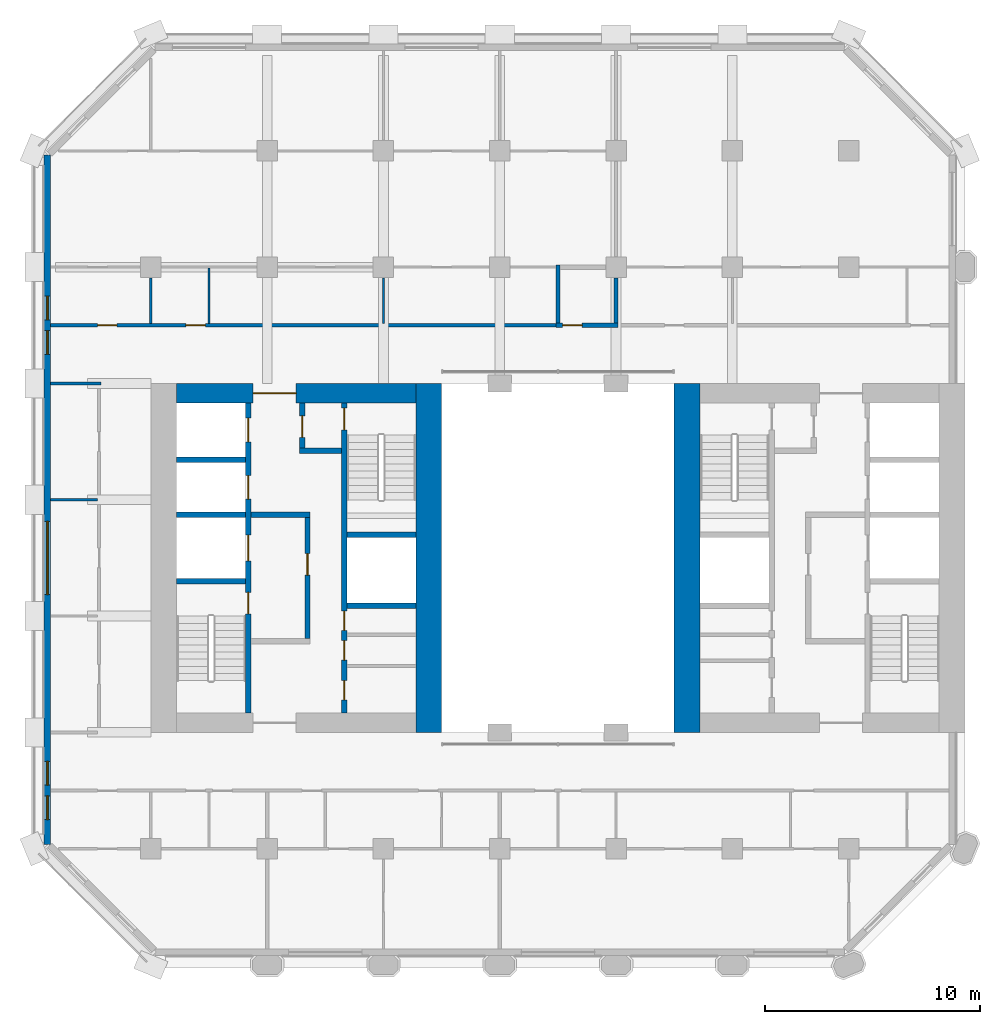
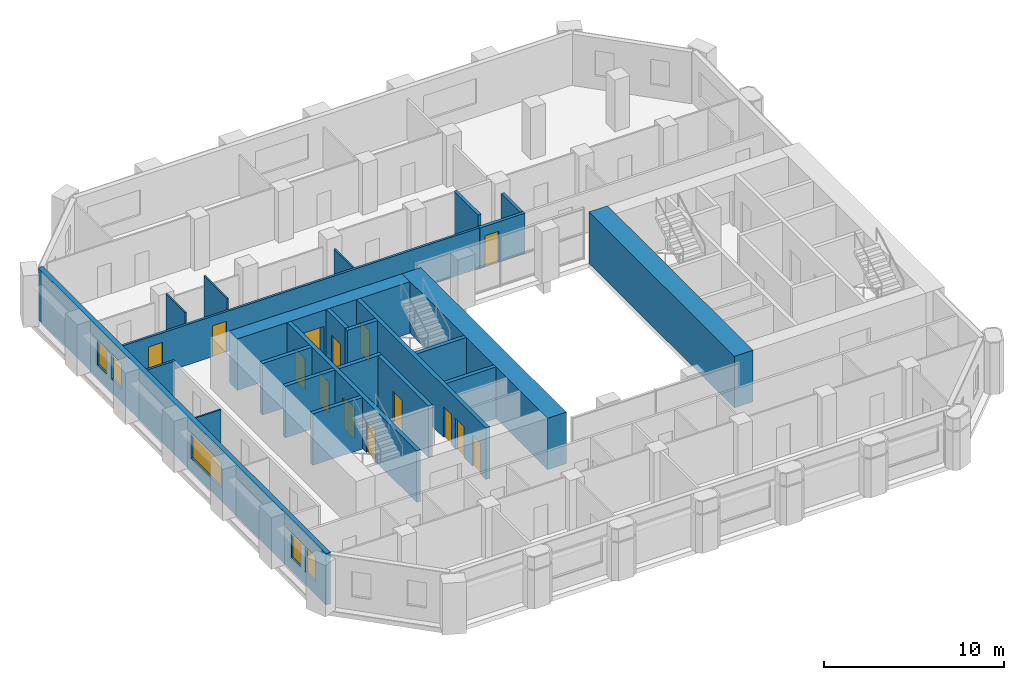
# One storey, part 7 of 13: 24 walls, 14 doors, 5 windows, 19 openings.
"""IFC4 building model written with IfcOpenShell, lengths in metres."""

from ifc_helpers import new_model, si_unit, direction, frame, frame_2d, origin, place, context, subcontext, project, spatial, rectangle, extrude, material, layer, layer_set, type_object, element, fill, save


model = new_model("IFC4")

# Units and contexts
model_context = context("Model", 3, precision=1e-05, world=origin(), true_north=direction((0.0, 1.0)))
body_context = subcontext(model_context, "Body", "Model", "MODEL_VIEW")
ifc_project = project(units=[si_unit("LENGTHUNIT", "METRE"), si_unit("AREAUNIT", "SQUARE_METRE"), si_unit("VOLUMEUNIT", "CUBIC_METRE"), si_unit("PLANEANGLEUNIT", "RADIAN"), si_unit("MASSUNIT", "GRAM", prefix="KILO")], contexts=[model_context])

# Site, building, storey
site_placement = place(None, origin())
site = spatial("IfcSite", under=ifc_project, at=site_placement, CompositionType="ELEMENT")
building_placement = place(site_placement, origin())
building = spatial("IfcBuilding", under=site, at=building_placement, Name="Tabaq Tower and Sports Hall", CompositionType="ELEMENT")
storey_placement = place(building_placement, frame((0.0, 0.0, 114.39990234375)))
storey = spatial("IfcBuildingStorey", under=building, at=storey_placement, Name="L27", CompositionType="ELEMENT", Elevation=114.39990234375)

# Walls
ifc_material_1 = material(Name="Concrete C60/75", Category="concrete")
ifc_layer_1 = layer(ifc_material_1, 1.199951171875)
ifc_layer_set_1 = layer_set([ifc_layer_1], Name="Core wall 1200 Concrete C60/75")
wall_type_1 = type_object("IfcWallType", Name="Core wall 1200 Concrete C60/75", PredefinedType="SOLIDWALL", material=ifc_layer_set_1)
for number, where, z_axis, x_axis, name in (
    (1, (18.300048828125, 32.39990234375, 0.0), (0.0, 0.0, 1.0), (0.0, -1.0, 0.0), "Core wall W L27"),
    (2, (30.300048828125, 16.199951171875, 0.0), (0.0, 0.0, 1.0), (0.0, 1.0, 0.0), "Core wall E L27"),
):
    element("IfcWall", number, at=place(storey_placement, frame(where, z_axis=z_axis, x_axis=x_axis)), inside=storey, type_object=wall_type_1, Name=name, PredefinedType="SOLIDWALL", context=body_context, shape_type="SweptSolid", body=[
        extrude(rectangle(XDim=16.199951171875, YDim=1.199951171875, at=frame_2d((8.10009765625, 0.0))), origin(), (0.0, 0.0, 1.0), 3.5),
    ])

# Wall, opening, door
ifc_material_2 = material(Name="Concrete C60/75", Category="concrete")
ifc_layer_2 = layer(ifc_material_2, 0.89990234375)
ifc_layer_set_2 = layer_set([ifc_layer_2], Name="Core wall 900 Concrete C60/75")
wall_type_2 = type_object("IfcWallType", Name="Core wall 900 Concrete C60/75", PredefinedType="SOLIDWALL", material=ifc_layer_set_2)
wall_1_placement = place(storey_placement, frame((6.60009765625, 31.949951171875, 0.0), z_axis=(0.0, 0.0, 1.0), x_axis=(1.0, 0.0, 0.0)))
wall_1 = element("IfcWall", 3, at=wall_1_placement, inside=storey, type_object=wall_type_2, Name="Core wall W L27", PredefinedType="SOLIDWALL", context=body_context, shape_type="SweptSolid", body=[
    extrude(rectangle(XDim=11.099853515625, YDim=0.89990234375, at=frame_2d((5.5498046875, 0.0))), origin(), (0.0, 0.0, 1.0), 3.5),
])
opening_1_placement = place(wall_1_placement, frame((3.550048828125, 0.0, 0.0)))
opening_1 = element("IfcOpeningElement", 4, at=opening_1_placement, cuts=wall_1, Name="Opening PD-WL27-02", PredefinedType="OPENING", context=body_context, shape_type="SweptSolid", body=[
    extrude(rectangle(XDim=2.0, YDim=2.39990234375, at=frame_2d((1.0, 1.199951171875))), frame((0.0, 0.449951171875, 0.0), z_axis=(0.0, -1.0, 0.0), x_axis=(1.0, 0.0, 0.0)), (0.0, 0.0, 1.0), 0.89990234375),
])
ifc_material_3 = material(Name="Steel fire door", Category="steel")
door_type_1 = type_object("IfcDoorType", Name="Core entrance door 2000", OperationType="DOUBLE_DOOR_SINGLE_SWING", PredefinedType="DOOR", material=ifc_material_3)
door_1_placement = place(opening_1_placement, origin())
door_1 = element("IfcDoor", 5, at=door_1_placement, inside=storey, type_object=door_type_1, Name="Core entrance north W L27", OperationType="DOUBLE_DOOR_SINGLE_SWING", OverallHeight=2.39990234375, OverallWidth=2.0, PredefinedType="DOOR", context=body_context, shape_type="SweptSolid", body=[
    extrude(rectangle(XDim=2.0, YDim=2.39990234375, at=frame_2d((1.0, 1.199951171875))), frame((0.0, 0.02490234375, 0.0), z_axis=(0.0, -1.0, 0.0), x_axis=(1.0, 0.0, 0.0)), (0.0, 0.0, 1.0), 0.050048828125),
])
fill(opening_1, door_1)

ifc_material_4 = material(Name="Blockwork", Category="masonry")
ifc_layer_3 = layer(ifc_material_4, 0.199951171875)
ifc_layer_set_3 = layer_set([ifc_layer_3], Name="Fire compartment wall 200 Blockwork")
wall_type_3 = type_object("IfcWallType", Name="Fire compartment wall 200 Blockwork", PredefinedType="PARTITIONING", material=ifc_layer_set_3)
wall_2_placement = place(storey_placement, frame((27.10009765625, 35.10009765625, 0.0), z_axis=(0.0, 0.0, 1.0), x_axis=(-1.0, 0.0, 0.0)))
wall_2 = element("IfcWall", 6, at=wall_2_placement, inside=storey, type_object=wall_type_3, Name="Compartment wall L27", PredefinedType="PARTITIONING", context=body_context, shape_type="SweptSolid", body=[
    extrude(rectangle(XDim=2.900146484375, YDim=0.199951171875, at=frame_2d((1.4501953125, 0.0))), origin(), (0.0, 0.0, 1.0), 2.75),
])
opening_2_placement = place(wall_2_placement, frame((1.679931640625, 0.0, 0.0)))
opening_2 = element("IfcOpeningElement", 7, at=opening_2_placement, cuts=wall_2, Name="Opening L27-002", PredefinedType="OPENING", context=body_context, shape_type="SweptSolid", body=[
    extrude(rectangle(XDim=0.89990234375, YDim=2.10009765625, at=frame_2d((0.449951171875, 1.050048828125))), frame((0.0, 0.10009765625, 0.0), z_axis=(0.0, -1.0, 0.0), x_axis=(1.0, 0.0, 0.0)), (0.0, 0.0, 1.0), 0.199951171875),
])
ifc_material_5 = material(Name="Steel fire door", Category="steel")
door_type_2 = type_object("IfcDoorType", Name="Plant room door 900 left hand", OperationType="SINGLE_SWING_LEFT", PredefinedType="DOOR", material=ifc_material_5)
door_2_placement = place(opening_2_placement, origin())
door_2 = element("IfcDoor", 8, at=door_2_placement, inside=storey, type_object=door_type_2, Name="Plant room door L27-002", OperationType="SINGLE_SWING_LEFT", OverallHeight=2.10009765625, OverallWidth=0.89990234375, PredefinedType="DOOR", context=body_context, shape_type="SweptSolid", body=[
    extrude(rectangle(XDim=0.89990234375, YDim=2.10009765625, at=frame_2d((0.449951171875, 1.050048828125))), frame((0.0, 0.02490234375, 0.0), z_axis=(0.0, -1.0, 0.0), x_axis=(1.0, 0.0, 0.0)), (0.0, 0.0, 1.0), 0.050048828125),
])
fill(opening_2, door_2)

# Walls
wall_3_placement = place(storey_placement, frame((24.300048828125, 35.199951171875, 0.0), z_axis=(0.0, 0.0, 1.0), x_axis=(0.0, 1.0, 0.0)))
element("IfcWall", 9, at=wall_3_placement, inside=storey, type_object=wall_type_3, Name="Compartment wall L27", PredefinedType="PARTITIONING", context=body_context, shape_type="SweptSolid", body=[
    extrude(rectangle(XDim=2.699951171875, YDim=0.199951171875, at=frame_2d((1.35009765625, 0.0))), origin(), (0.0, 0.0, 1.0), 3.5),
])
wall_4_placement = place(storey_placement, frame((27.0, 35.199951171875, 0.0), z_axis=(0.0, 0.0, 1.0), x_axis=(0.0, 1.0, 0.0)))
element("IfcWall", 10, at=wall_4_placement, inside=storey, type_object=wall_type_3, Name="Compartment wall L27", PredefinedType="PARTITIONING", context=body_context, shape_type="SweptSolid", body=[
    extrude(rectangle(XDim=2.10498046875, YDim=0.199951171875, at=frame_2d((1.052490234375, 0.0))), origin(), (0.0, 0.0, 1.0), 2.75),
])
ifc_material_6 = material(Name="Gypsum board on steel studs", Category="steel")
ifc_layer_4 = layer(ifc_material_6, 0.10009765625)
ifc_layer_set_4 = layer_set([ifc_layer_4], Name="Partition 100 Gypsum board")
wall_type_4 = type_object("IfcWallType", Name="Partition 100 Gypsum board", PredefinedType="PARTITIONING", material=ifc_layer_set_4)
wall_5_placement = place(storey_placement, frame((5.39990234375, 35.175048828125, 0.0), z_axis=(0.0, 0.0, 1.0), x_axis=(0.0, 1.0, 0.0)))
element("IfcWall", 11, at=wall_5_placement, inside=storey, type_object=wall_type_4, Name="Partition wall L27", PredefinedType="PARTITIONING", context=body_context, shape_type="SweptSolid", body=[
    extrude(rectangle(XDim=2.1298828125, YDim=0.10009765625, at=frame_2d((1.06494140625, 0.0))), origin(), (0.0, 0.0, 1.0), 3.5),
])
wall_6_placement = place(storey_placement, frame((8.10009765625, 35.175048828125, 0.0), z_axis=(0.0, 0.0, 1.0), x_axis=(0.0, 1.0, 0.0)))
element("IfcWall", 12, at=wall_6_placement, inside=storey, type_object=wall_type_4, Name="Partition wall L27", PredefinedType="PARTITIONING", context=body_context, shape_type="SweptSolid", body=[
    extrude(rectangle(XDim=2.574951171875, YDim=0.10009765625, at=frame_2d((1.28759765625, 0.0))), origin(), (0.0, 0.0, 1.0), 3.5),
])
wall_7_placement = place(storey_placement, frame((16.199951171875, 35.175048828125, 0.0), z_axis=(0.0, 0.0, 1.0), x_axis=(0.0, 1.0, 0.0)))
element("IfcWall", 13, at=wall_7_placement, inside=storey, type_object=wall_type_4, Name="Partition wall L27", PredefinedType="PARTITIONING", context=body_context, shape_type="SweptSolid", body=[
    extrude(rectangle(XDim=2.1298828125, YDim=0.10009765625, at=frame_2d((1.06494140625, 0.0))), origin(), (0.0, 0.0, 1.0), 2.75),
])
wall_8_placement = place(storey_placement, frame((2.925048828125, 27.0, 0.0), z_axis=(0.0, 0.0, 1.0), x_axis=(-1.0, 0.0, 0.0)))
element("IfcWall", 14, at=wall_8_placement, inside=storey, type_object=wall_type_4, Name="Partition wall L27", PredefinedType="PARTITIONING", context=body_context, shape_type="SweptSolid", body=[
    extrude(rectangle(XDim=2.174072265625, YDim=0.10009765625, at=frame_2d((1.0869140625, 0.0))), origin(), (0.0, 0.0, 1.0), 2.75),
])

# Wall, openings, doors
ifc_material_7 = material(Name="Blockwork", Category="masonry")
ifc_layer_5 = layer(ifc_material_7, 0.14990234375)
ifc_layer_set_5 = layer_set([ifc_layer_5], Name="Separating wall 150 Blockwork")
wall_type_5 = type_object("IfcWallType", Name="Separating wall 150 Blockwork", PredefinedType="PARTITIONING", material=ifc_layer_set_5)
wall_9_placement = place(storey_placement, frame((24.199951171875, 35.10009765625, 0.0), z_axis=(0.0, 0.0, 1.0), x_axis=(-1.0, 0.0, 0.0)))
wall_9 = element("IfcWall", 15, at=wall_9_placement, inside=storey, type_object=wall_type_5, Name="Separating wall L27", PredefinedType="PARTITIONING", context=body_context, shape_type="SweptSolid", body=[
    extrude(rectangle(XDim=23.448974609375, YDim=0.14990234375, at=frame_2d((11.724609375, 0.0))), origin(), (0.0, 0.0, 1.0), 2.75),
])
opening_3_placement = place(wall_9_placement, frame((16.27001953125, 0.0, 0.0)))
opening_3 = element("IfcOpeningElement", 16, at=opening_3_placement, cuts=wall_9, Name="Opening L27-001", PredefinedType="OPENING", context=body_context, shape_type="SweptSolid", body=[
    extrude(rectangle(XDim=0.89990234375, YDim=2.10009765625, at=frame_2d((0.449951171875, 1.050048828125))), frame((0.0, 0.074951171875, 0.0), z_axis=(0.0, -1.0, 0.0), x_axis=(1.0, 0.0, 0.0)), (0.0, 0.0, 1.0), 0.14990234375),
])
opening_4_placement = place(wall_9_placement, frame((20.375, 0.0, 0.0)))
opening_4 = element("IfcOpeningElement", 17, at=opening_4_placement, cuts=wall_9, Name="Opening L27-025", PredefinedType="OPENING", context=body_context, shape_type="SweptSolid", body=[
    extrude(rectangle(XDim=0.89990234375, YDim=2.10009765625, at=frame_2d((0.449951171875, 1.050048828125))), frame((0.0, 0.074951171875, 0.0), z_axis=(0.0, -1.0, 0.0), x_axis=(1.0, 0.0, 0.0)), (0.0, 0.0, 1.0), 0.14990234375),
])
ifc_material_8 = material(Name="Steel fire door", Category="steel")
door_type_3 = type_object("IfcDoorType", Name="Entrance door 900 right hand", OperationType="SINGLE_SWING_RIGHT", PredefinedType="DOOR", material=ifc_material_8)
door_3_placement = place(opening_3_placement, origin())
door_3 = element("IfcDoor", 18, at=door_3_placement, inside=storey, type_object=door_type_3, Name="Entrance door L27-001", OperationType="SINGLE_SWING_RIGHT", OverallHeight=2.10009765625, OverallWidth=0.89990234375, PredefinedType="DOOR", context=body_context, shape_type="SweptSolid", body=[
    extrude(rectangle(XDim=0.89990234375, YDim=2.10009765625, at=frame_2d((0.449951171875, 1.050048828125))), frame((0.0, 0.02490234375, 0.0), z_axis=(0.0, -1.0, 0.0), x_axis=(1.0, 0.0, 0.0)), (0.0, 0.0, 1.0), 0.050048828125),
])
fill(opening_3, door_3)
door_4_placement = place(opening_4_placement, origin())
door_4 = element("IfcDoor", 19, at=door_4_placement, inside=storey, type_object=door_type_3, Name="Entrance door L27-025", OperationType="SINGLE_SWING_RIGHT", OverallHeight=2.10009765625, OverallWidth=0.89990234375, PredefinedType="DOOR", context=body_context, shape_type="SweptSolid", body=[
    extrude(rectangle(XDim=0.89990234375, YDim=2.10009765625, at=frame_2d((0.449951171875, 1.050048828125))), frame((0.0, 0.02490234375, 0.0), z_axis=(0.0, -1.0, 0.0), x_axis=(1.0, 0.0, 0.0)), (0.0, 0.0, 1.0), 0.050048828125),
])
fill(opening_4, door_4)

# Wall
wall_10_placement = place(storey_placement, frame((0.7509765625, 32.39990234375, 0.0), z_axis=(0.0, 0.0, 1.0), x_axis=(1.0, 0.0, 0.0)))
element("IfcWall", 20, at=wall_10_placement, inside=storey, type_object=wall_type_5, Name="Separating wall L27", PredefinedType="PARTITIONING", context=body_context, shape_type="SweptSolid", body=[
    extrude(rectangle(XDim=2.323974609375, YDim=0.14990234375, at=frame_2d((1.162109375, 0.0))), origin(), (0.0, 0.0, 1.0), 2.75),
])

# Wall, openings, doors
ifc_material_9 = material(Name="Concrete C40/50", Category="concrete")
ifc_layer_6 = layer(ifc_material_9, 0.25)
ifc_layer_set_6 = layer_set([ifc_layer_6], Name="Shaft and stair wall 250 Concrete C40/50")
wall_type_6 = type_object("IfcWallType", Name="Shaft and stair wall 250 Concrete C40/50", PredefinedType="SOLIDWALL", material=ifc_layer_set_6)
wall_11_placement = place(storey_placement, frame((9.925048828125, 17.10009765625, 0.0), z_axis=(0.0, 0.0, 1.0), x_axis=(0.0, 1.0, 0.0)))
wall_11 = element("IfcWall", 21, at=wall_11_placement, inside=storey, type_object=wall_type_6, Name="Shaft wall W L27", PredefinedType="SOLIDWALL", context=body_context, shape_type="SweptSolid", body=[
    extrude(rectangle(XDim=14.39990234375, YDim=0.25, at=frame_2d((7.199951171875, 0.0))), origin(), (0.0, 0.0, 1.0), 3.5),
])
opening_5_placement = place(wall_11_placement, frame((4.60009765625, 0.0, 0.0)))
opening_5 = element("IfcOpeningElement", 22, at=opening_5_placement, cuts=wall_11, Name="Opening SD-WL27-03", PredefinedType="OPENING", context=body_context, shape_type="SweptSolid", body=[
    extrude(rectangle(XDim=1.0, YDim=2.10009765625, at=frame_2d((0.5, 1.050048828125))), frame((0.0, 0.125, 0.0), z_axis=(0.0, -1.0, 0.0), x_axis=(1.0, 0.0, 0.0)), (0.0, 0.0, 1.0), 0.25),
])
opening_6_placement = place(wall_11_placement, frame((7.0625, 0.0, 0.0)))
opening_6 = element("IfcOpeningElement", 23, at=opening_6_placement, cuts=wall_11, Name="Opening LD-FF1-L27", PredefinedType="OPENING", context=body_context, shape_type="SweptSolid", body=[
    extrude(rectangle(XDim=1.199951171875, YDim=2.10009765625, at=frame_2d((0.60009765625, 1.050048828125))), frame((0.0, 0.125, 0.0), z_axis=(0.0, -1.0, 0.0), x_axis=(1.0, 0.0, 0.0)), (0.0, 0.0, 1.0), 0.25),
])
opening_7_placement = place(wall_11_placement, frame((9.925048828125, 0.0, 0.0)))
opening_7 = element("IfcOpeningElement", 24, at=opening_7_placement, cuts=wall_11, Name="Opening LD-LR1-L27", PredefinedType="OPENING", context=body_context, shape_type="SweptSolid", body=[
    extrude(rectangle(XDim=1.10009765625, YDim=2.10009765625, at=frame_2d((0.550048828125, 1.050048828125))), frame((0.0, 0.125, 0.0), z_axis=(0.0, -1.0, 0.0), x_axis=(1.0, 0.0, 0.0)), (0.0, 0.0, 1.0), 0.25),
])
opening_8_placement = place(wall_11_placement, frame((12.58740234375, 0.0, 0.0)))
opening_8 = element("IfcOpeningElement", 25, at=opening_8_placement, cuts=wall_11, Name="Opening LD-LR2-L27", PredefinedType="OPENING", context=body_context, shape_type="SweptSolid", body=[
    extrude(rectangle(XDim=1.10009765625, YDim=2.10009765625, at=frame_2d((0.550048828125, 1.050048828125))), frame((0.0, 0.125, 0.0), z_axis=(0.0, -1.0, 0.0), x_axis=(1.0, 0.0, 0.0)), (0.0, 0.0, 1.0), 0.25),
])
ifc_material_10 = material(Name="Stainless steel", Category="steel")
door_type_4 = type_object("IfcDoorType", Name="Lift landing door 1100", OperationType="DOUBLE_DOOR_SLIDING", PredefinedType="DOOR", material=ifc_material_10)
door_5_placement = place(opening_7_placement, origin())
door_5 = element("IfcDoor", 26, at=door_5_placement, inside=storey, type_object=door_type_4, Name="Lift landing door LR1 W L27", OperationType="DOUBLE_DOOR_SLIDING", OverallHeight=2.10009765625, OverallWidth=1.10009765625, PredefinedType="DOOR", context=body_context, shape_type="SweptSolid", body=[
    extrude(rectangle(XDim=1.10009765625, YDim=2.10009765625, at=frame_2d((0.550048828125, 1.050048828125))), frame((0.0, 0.02490234375, 0.0), z_axis=(0.0, -1.0, 0.0), x_axis=(1.0, 0.0, 0.0)), (0.0, 0.0, 1.0), 0.050048828125),
])
fill(opening_7, door_5)
door_6_placement = place(opening_8_placement, origin())
door_6 = element("IfcDoor", 27, at=door_6_placement, inside=storey, type_object=door_type_4, Name="Lift landing door LR2 W L27", OperationType="DOUBLE_DOOR_SLIDING", OverallHeight=2.10009765625, OverallWidth=1.10009765625, PredefinedType="DOOR", context=body_context, shape_type="SweptSolid", body=[
    extrude(rectangle(XDim=1.10009765625, YDim=2.10009765625, at=frame_2d((0.550048828125, 1.050048828125))), frame((0.0, 0.02490234375, 0.0), z_axis=(0.0, -1.0, 0.0), x_axis=(1.0, 0.0, 0.0)), (0.0, 0.0, 1.0), 0.050048828125),
])
fill(opening_8, door_6)
ifc_material_11 = material(Name="Stainless steel", Category="steel")
door_type_5 = type_object("IfcDoorType", Name="Lift landing door 1200", OperationType="DOUBLE_DOOR_SLIDING", PredefinedType="DOOR", material=ifc_material_11)
door_7_placement = place(opening_6_placement, origin())
door_7 = element("IfcDoor", 28, at=door_7_placement, inside=storey, type_object=door_type_5, Name="Lift landing door FF1 W L27", OperationType="DOUBLE_DOOR_SLIDING", OverallHeight=2.10009765625, OverallWidth=1.199951171875, PredefinedType="DOOR", context=body_context, shape_type="SweptSolid", body=[
    extrude(rectangle(XDim=1.199951171875, YDim=2.10009765625, at=frame_2d((0.60009765625, 1.050048828125))), frame((0.0, 0.02490234375, 0.0), z_axis=(0.0, -1.0, 0.0), x_axis=(1.0, 0.0, 0.0)), (0.0, 0.0, 1.0), 0.050048828125),
])
fill(opening_6, door_7)
ifc_material_12 = material(Name="Steel fire door", Category="steel")
door_type_6 = type_object("IfcDoorType", Name="Stair door 1000", OperationType="SINGLE_SWING_LEFT", PredefinedType="DOOR", material=ifc_material_12)
door_8_placement = place(opening_5_placement, origin())
door_8 = element("IfcDoor", 29, at=door_8_placement, inside=storey, type_object=door_type_6, Name="Stair door ST1 W L27", OperationType="SINGLE_SWING_LEFT", OverallHeight=2.10009765625, OverallWidth=1.0, PredefinedType="DOOR", context=body_context, shape_type="SweptSolid", body=[
    extrude(rectangle(XDim=1.0, YDim=2.10009765625, at=frame_2d((0.5, 1.050048828125))), frame((0.0, 0.02490234375, 0.0), z_axis=(0.0, -1.0, 0.0), x_axis=(1.0, 0.0, 0.0)), (0.0, 0.0, 1.0), 0.050048828125),
])
fill(opening_5, door_8)

wall_12_placement = place(storey_placement, frame((14.375, 17.10009765625, 0.0), z_axis=(0.0, 0.0, 1.0), x_axis=(0.0, 1.0, 0.0)))
wall_12 = element("IfcWall", 30, at=wall_12_placement, inside=storey, type_object=wall_type_6, Name="Shaft wall W L27", PredefinedType="SOLIDWALL", context=body_context, shape_type="SweptSolid", body=[
    extrude(rectangle(XDim=14.39990234375, YDim=0.25, at=frame_2d((7.199951171875, 0.0))), origin(), (0.0, 0.0, 1.0), 3.5),
])
opening_9_placement = place(wall_12_placement, frame((13.14990234375, 0.0, 0.0)))
opening_9 = element("IfcOpeningElement", 31, at=opening_9_placement, cuts=wall_12, Name="Opening SD-WL27-05", PredefinedType="OPENING", context=body_context, shape_type="SweptSolid", body=[
    extrude(rectangle(XDim=1.0, YDim=2.10009765625, at=frame_2d((0.5, 1.050048828125))), frame((0.0, 0.125, 0.0), z_axis=(0.0, -1.0, 0.0), x_axis=(1.0, 0.0, 0.0)), (0.0, 0.0, 1.0), 0.25),
])
opening_10_placement = place(wall_12_placement, frame((0.60400390625, 0.0, 0.0)))
opening_10 = element("IfcOpeningElement", 32, at=opening_10_placement, cuts=wall_12, Name="Opening RD-WL27-10", PredefinedType="OPENING", context=body_context, shape_type="SweptSolid", body=[
    extrude(rectangle(XDim=0.89990234375, YDim=2.10009765625, at=frame_2d((0.449951171875, 1.050048828125))), frame((0.0, 0.125, 0.0), z_axis=(0.0, -1.0, 0.0), x_axis=(1.0, 0.0, 0.0)), (0.0, 0.0, 1.0), 0.25),
])
opening_11_placement = place(wall_12_placement, frame((2.46044921875, 0.0, 0.0)))
opening_11 = element("IfcOpeningElement", 33, at=opening_11_placement, cuts=wall_12, Name="Opening RD-WL27-11", PredefinedType="OPENING", context=body_context, shape_type="SweptSolid", body=[
    extrude(rectangle(XDim=0.89990234375, YDim=2.10009765625, at=frame_2d((0.449951171875, 1.050048828125))), frame((0.0, 0.125, 0.0), z_axis=(0.0, -1.0, 0.0), x_axis=(1.0, 0.0, 0.0)), (0.0, 0.0, 1.0), 0.25),
])
opening_12_placement = place(wall_12_placement, frame((3.83154296875, 0.0, 0.0)))
opening_12 = element("IfcOpeningElement", 34, at=opening_12_placement, cuts=wall_12, Name="Opening RD-WL27-12", PredefinedType="OPENING", context=body_context, shape_type="SweptSolid", body=[
    extrude(rectangle(XDim=0.89990234375, YDim=2.10009765625, at=frame_2d((0.449951171875, 1.050048828125))), frame((0.0, 0.125, 0.0), z_axis=(0.0, -1.0, 0.0), x_axis=(1.0, 0.0, 0.0)), (0.0, 0.0, 1.0), 0.25),
])
ifc_material_13 = material(Name="Steel fire door", Category="steel")
door_type_7 = type_object("IfcDoorType", Name="Core room door 900", OperationType="SINGLE_SWING_LEFT", PredefinedType="DOOR", material=ifc_material_13)
door_9_placement = place(opening_10_placement, origin())
door_9 = element("IfcDoor", 35, at=door_9_placement, inside=storey, type_object=door_type_7, Name="Door Unisex WC W L27", OperationType="SINGLE_SWING_LEFT", OverallHeight=2.10009765625, OverallWidth=0.89990234375, PredefinedType="DOOR", context=body_context, shape_type="SweptSolid", body=[
    extrude(rectangle(XDim=0.89990234375, YDim=2.10009765625, at=frame_2d((0.449951171875, 1.050048828125))), frame((0.0, 0.02490234375, 0.0), z_axis=(0.0, -1.0, 0.0), x_axis=(1.0, 0.0, 0.0)), (0.0, 0.0, 1.0), 0.050048828125),
])
fill(opening_10, door_9)
door_10_placement = place(opening_11_placement, origin())
door_10 = element("IfcDoor", 36, at=door_10_placement, inside=storey, type_object=door_type_7, Name="Door Accessible WC W L27", OperationType="SINGLE_SWING_LEFT", OverallHeight=2.10009765625, OverallWidth=0.89990234375, PredefinedType="DOOR", context=body_context, shape_type="SweptSolid", body=[
    extrude(rectangle(XDim=0.89990234375, YDim=2.10009765625, at=frame_2d((0.449951171875, 1.050048828125))), frame((0.0, 0.02490234375, 0.0), z_axis=(0.0, -1.0, 0.0), x_axis=(1.0, 0.0, 0.0)), (0.0, 0.0, 1.0), 0.050048828125),
])
fill(opening_11, door_10)
door_11_placement = place(opening_12_placement, origin())
door_11 = element("IfcDoor", 37, at=door_11_placement, inside=storey, type_object=door_type_7, Name="Door Electrical Riser Room W L27", OperationType="SINGLE_SWING_LEFT", OverallHeight=2.10009765625, OverallWidth=0.89990234375, PredefinedType="DOOR", context=body_context, shape_type="SweptSolid", body=[
    extrude(rectangle(XDim=0.89990234375, YDim=2.10009765625, at=frame_2d((0.449951171875, 1.050048828125))), frame((0.0, 0.02490234375, 0.0), z_axis=(0.0, -1.0, 0.0), x_axis=(1.0, 0.0, 0.0)), (0.0, 0.0, 1.0), 0.050048828125),
])
fill(opening_12, door_11)
door_12_placement = place(opening_9_placement, origin())
door_12 = element("IfcDoor", 38, at=door_12_placement, inside=storey, type_object=door_type_6, Name="Stair door ST2 W L27", OperationType="SINGLE_SWING_LEFT", OverallHeight=2.10009765625, OverallWidth=1.0, PredefinedType="DOOR", context=body_context, shape_type="SweptSolid", body=[
    extrude(rectangle(XDim=1.0, YDim=2.10009765625, at=frame_2d((0.5, 1.050048828125))), frame((0.0, 0.02490234375, 0.0), z_axis=(0.0, -1.0, 0.0), x_axis=(1.0, 0.0, 0.0)), (0.0, 0.0, 1.0), 0.050048828125),
])
fill(opening_9, door_12)

# Walls
for number, where, z_axis, x_axis, name in (
    (39, (6.60009765625, 23.22509765625, 0.0), (0.0, 0.0, 1.0), (1.0, 0.0, 0.0), "Stair enclosure wall W L27"),
    (40, (14.5, 25.375, 0.0), (0.0, 0.0, 1.0), (1.0, 0.0, 0.0), "Stair enclosure wall W L27"),
    (41, (14.5, 22.074951171875, 0.0), (0.0, 0.0, 1.0), (1.0, 0.0, 0.0), "Shaft wall W L27"),
    (42, (6.60009765625, 26.300048828125, 0.0), (0.0, 0.0, 1.0), (1.0, 0.0, 0.0), "Shaft wall W L27"),
):
    element("IfcWall", number, at=place(storey_placement, frame(where, z_axis=z_axis, x_axis=x_axis)), inside=storey, type_object=wall_type_6, Name=name, PredefinedType="SOLIDWALL", context=body_context, shape_type="SweptSolid", body=[
        extrude(rectangle(XDim=3.199951171875, YDim=0.25, at=frame_2d((1.60009765625, 0.0))), origin(), (0.0, 0.0, 1.0), 3.5),
    ])
wall_13_placement = place(storey_placement, frame((10.050048828125, 26.300048828125, 0.0), z_axis=(0.0, 0.0, 1.0), x_axis=(1.0, 0.0, 0.0)))
element("IfcWall", 43, at=wall_13_placement, inside=storey, type_object=wall_type_6, Name="Fire-fighting lobby wall W L27", PredefinedType="SOLIDWALL", context=body_context, shape_type="SweptSolid", body=[
    extrude(rectangle(XDim=2.75, YDim=0.25, at=frame_2d((1.375, 0.0))), origin(), (0.0, 0.0, 1.0), 3.5),
])

# Wall, opening, door
wall_14_placement = place(storey_placement, frame((12.425048828125, 29.39990234375, 0.0), z_axis=(0.0, 0.0, 1.0), x_axis=(0.0, 1.0, 0.0)))
wall_14 = element("IfcWall", 44, at=wall_14_placement, inside=storey, type_object=wall_type_6, Name="Fire-fighting lobby wall W L27", PredefinedType="SOLIDWALL", context=body_context, shape_type="SweptSolid", body=[
    extrude(rectangle(XDim=2.10009765625, YDim=0.25, at=frame_2d((1.050048828125, 0.0))), origin(), (0.0, 0.0, 1.0), 3.5),
])
opening_13_placement = place(wall_14_placement, frame((0.5, 0.0, 0.0)))
opening_13 = element("IfcOpeningElement", 45, at=opening_13_placement, cuts=wall_14, Name="Opening FD-WL27-06", PredefinedType="OPENING", context=body_context, shape_type="SweptSolid", body=[
    extrude(rectangle(XDim=1.0, YDim=2.10009765625, at=frame_2d((0.5, 1.050048828125))), frame((0.0, 0.125, 0.0), z_axis=(0.0, -1.0, 0.0), x_axis=(1.0, 0.0, 0.0)), (0.0, 0.0, 1.0), 0.25),
])
ifc_material_14 = material(Name="Steel fire door", Category="steel")
door_type_8 = type_object("IfcDoorType", Name="Fire-fighting lobby door 1000", OperationType="SINGLE_SWING_LEFT", PredefinedType="DOOR", material=ifc_material_14)
door_13_placement = place(opening_13_placement, origin())
door_13 = element("IfcDoor", 46, at=door_13_placement, inside=storey, type_object=door_type_8, Name="Stair lobby door W L27", OperationType="SINGLE_SWING_LEFT", OverallHeight=2.10009765625, OverallWidth=1.0, PredefinedType="DOOR", context=body_context, shape_type="SweptSolid", body=[
    extrude(rectangle(XDim=1.0, YDim=2.10009765625, at=frame_2d((0.5, 1.050048828125))), frame((0.0, 0.02490234375, 0.0), z_axis=(0.0, -1.0, 0.0), x_axis=(1.0, 0.0, 0.0)), (0.0, 0.0, 1.0), 0.050048828125),
])
fill(opening_13, door_13)

# Wall
wall_15_placement = place(storey_placement, frame((12.300048828125, 29.27490234375, 0.0), z_axis=(0.0, 0.0, 1.0), x_axis=(1.0, 0.0, 0.0)))
element("IfcWall", 47, at=wall_15_placement, inside=storey, type_object=wall_type_6, Name="Fire-fighting lobby wall W L27", PredefinedType="SOLIDWALL", context=body_context, shape_type="SweptSolid", body=[
    extrude(rectangle(XDim=1.949951171875, YDim=0.25, at=frame_2d((0.97509765625, 0.0))), origin(), (0.0, 0.0, 1.0), 3.5),
])

# Wall, opening, door
wall_16_placement = place(storey_placement, frame((12.675048828125, 20.550048828125, 0.0), z_axis=(0.0, 0.0, 1.0), x_axis=(0.0, 1.0, 0.0)))
wall_16 = element("IfcWall", 48, at=wall_16_placement, inside=storey, type_object=wall_type_6, Name="Fire-fighting lobby wall W L27", PredefinedType="SOLIDWALL", context=body_context, shape_type="SweptSolid", body=[
    extrude(rectangle(XDim=5.625, YDim=0.25, at=frame_2d((2.8125, 0.0))), origin(), (0.0, 0.0, 1.0), 3.5),
])
opening_14_placement = place(wall_16_placement, frame((2.949951171875, 0.0, 0.0)))
opening_14 = element("IfcOpeningElement", 49, at=opening_14_placement, cuts=wall_16, Name="Opening FD-WL27-04", PredefinedType="OPENING", context=body_context, shape_type="SweptSolid", body=[
    extrude(rectangle(XDim=1.0, YDim=2.10009765625, at=frame_2d((0.5, 1.050048828125))), frame((0.0, 0.125, 0.0), z_axis=(0.0, -1.0, 0.0), x_axis=(1.0, 0.0, 0.0)), (0.0, 0.0, 1.0), 0.25),
])
door_14_placement = place(opening_14_placement, origin())
door_14 = element("IfcDoor", 50, at=door_14_placement, inside=storey, type_object=door_type_8, Name="Fire-fighting lobby door W L27", OperationType="SINGLE_SWING_LEFT", OverallHeight=2.10009765625, OverallWidth=1.0, PredefinedType="DOOR", context=body_context, shape_type="SweptSolid", body=[
    extrude(rectangle(XDim=1.0, YDim=2.10009765625, at=frame_2d((0.5, 1.050048828125))), frame((0.0, 0.02490234375, 0.0), z_axis=(0.0, -1.0, 0.0), x_axis=(1.0, 0.0, 0.0)), (0.0, 0.0, 1.0), 0.050048828125),
])
fill(opening_14, door_14)

# Wall
wall_17_placement = place(storey_placement, frame((6.60009765625, 28.85009765625, 0.0), z_axis=(0.0, 0.0, 1.0), x_axis=(1.0, 0.0, 0.0)))
element("IfcWall", 51, at=wall_17_placement, inside=storey, type_object=wall_type_6, Name="Shaft wall W L27", PredefinedType="SOLIDWALL", context=body_context, shape_type="SweptSolid", body=[
    extrude(rectangle(XDim=3.199951171875, YDim=0.25, at=frame_2d((1.60009765625, 0.0))), origin(), (0.0, 0.0, 1.0), 3.5),
])

# Wall, openings, windows
ifc_material_15 = material(Name="White precast concrete C60/75", Category="concrete")
ifc_layer_7 = layer(ifc_material_15, 0.300048828125)
ifc_layer_set_7 = layer_set([ifc_layer_7], Name="White precast concrete C60/75 external wall 300")
wall_type_7 = type_object("IfcWallType", Name="White precast concrete C60/75 external wall 300", PredefinedType="SOLIDWALL", material=ifc_layer_set_7)
wall_18_placement = place(storey_placement, frame((0.60009765625, 43.013671875, 0.0), z_axis=(0.0, 0.0, 1.0), x_axis=(0.0, -1.0, 0.0)))
wall_18 = element("IfcWall", 52, at=wall_18_placement, inside=storey, type_object=wall_type_7, Name="External Wall L27 W", PredefinedType="SOLIDWALL", context=body_context, shape_type="SweptSolid", body=[
    extrude(rectangle(XDim=32.02734375, YDim=0.300048828125, at=frame_2d((16.013671875, 0.0))), origin(), (0.0, 0.0, 1.0), 3.5),
])
opening_15_placement = place(wall_18_placement, frame((6.563720703125, 0.0, 0.89990234375)))
opening_15 = element("IfcOpeningElement", 53, at=opening_15_placement, cuts=wall_18, Name="Opening W1B", PredefinedType="OPENING", context=body_context, shape_type="SweptSolid", body=[
    extrude(rectangle(XDim=1.10009765625, YDim=1.699951171875, at=frame_2d((0.550048828125, 0.85009765625))), frame((0.0, 0.16015625, 0.0), z_axis=(0.0, -1.0, 0.0), x_axis=(1.0, 0.0, 0.0)), (0.0, 0.0, 1.0), 0.320068359375),
])
opening_16_placement = place(wall_18_placement, frame((8.16357421875, 0.0, 0.89990234375)))
opening_16 = element("IfcOpeningElement", 54, at=opening_16_placement, cuts=wall_18, Name="Opening W1B", PredefinedType="OPENING", context=body_context, shape_type="SweptSolid", body=[
    extrude(rectangle(XDim=1.10009765625, YDim=1.699951171875, at=frame_2d((0.550048828125, 0.85009765625))), frame((0.0, 0.16015625, 0.0), z_axis=(0.0, -1.0, 0.0), x_axis=(1.0, 0.0, 0.0)), (0.0, 0.0, 1.0), 0.320068359375),
])
opening_17_placement = place(wall_18_placement, frame((17.013671875, 0.0, 0.89990234375)))
opening_17 = element("IfcOpeningElement", 55, at=opening_17_placement, cuts=wall_18, Name="Opening W1A", PredefinedType="OPENING", context=body_context, shape_type="SweptSolid", body=[
    extrude(rectangle(XDim=3.39990234375, YDim=1.699951171875, at=frame_2d((1.699951171875, 0.85009765625))), frame((0.0, 0.16015625, 0.0), z_axis=(0.0, -1.0, 0.0), x_axis=(1.0, 0.0, 0.0)), (0.0, 0.0, 1.0), 0.320068359375),
])
opening_18_placement = place(wall_18_placement, frame((28.16357421875, 0.0, 0.89990234375)))
opening_18 = element("IfcOpeningElement", 56, at=opening_18_placement, cuts=wall_18, Name="Opening W1B", PredefinedType="OPENING", context=body_context, shape_type="SweptSolid", body=[
    extrude(rectangle(XDim=1.10009765625, YDim=1.699951171875, at=frame_2d((0.550048828125, 0.85009765625))), frame((0.0, 0.16015625, 0.0), z_axis=(0.0, -1.0, 0.0), x_axis=(1.0, 0.0, 0.0)), (0.0, 0.0, 1.0), 0.320068359375),
])
opening_19_placement = place(wall_18_placement, frame((29.763671875, 0.0, 0.89990234375)))
opening_19 = element("IfcOpeningElement", 57, at=opening_19_placement, cuts=wall_18, Name="Opening W1B", PredefinedType="OPENING", context=body_context, shape_type="SweptSolid", body=[
    extrude(rectangle(XDim=1.10009765625, YDim=1.699951171875, at=frame_2d((0.550048828125, 0.85009765625))), frame((0.0, 0.16015625, 0.0), z_axis=(0.0, -1.0, 0.0), x_axis=(1.0, 0.0, 0.0)), (0.0, 0.0, 1.0), 0.320068359375),
])
ifc_material_16 = material(Name="Aluminium framed clear glazing", Category="aluminium")
window_type_1 = type_object("IfcWindowType", Name="Window W1A", PartitioningType="SINGLE_PANEL", PredefinedType="WINDOW", material=ifc_material_16)
window_1_placement = place(opening_17_placement, origin())
window_1 = element("IfcWindow", 58, at=window_1_placement, inside=storey, type_object=window_type_1, Name="Window W1A L27", OverallHeight=1.699951171875, OverallWidth=3.39990234375, PartitioningType="SINGLE_PANEL", PredefinedType="WINDOW", context=body_context, shape_type="SweptSolid", body=[
    extrude(rectangle(XDim=3.39990234375, YDim=1.699951171875, at=frame_2d((1.699951171875, 0.85009765625))), frame((0.0, 0.030029296875, 0.0), z_axis=(0.0, -1.0, 0.0), x_axis=(1.0, 0.0, 0.0)), (0.0, 0.0, 1.0), 0.06005859375),
])
fill(opening_17, window_1)
ifc_material_17 = material(Name="Aluminium framed clear glazing", Category="aluminium")
window_type_2 = type_object("IfcWindowType", Name="Window W1B", PartitioningType="SINGLE_PANEL", PredefinedType="WINDOW", material=ifc_material_17)
window_2_placement = place(opening_15_placement, origin())
window_2 = element("IfcWindow", 59, at=window_2_placement, inside=storey, type_object=window_type_2, Name="Window W1B L27", OverallHeight=1.699951171875, OverallWidth=1.10009765625, PartitioningType="SINGLE_PANEL", PredefinedType="WINDOW", context=body_context, shape_type="SweptSolid", body=[
    extrude(rectangle(XDim=1.10009765625, YDim=1.699951171875, at=frame_2d((0.550048828125, 0.85009765625))), frame((0.0, 0.030029296875, 0.0), z_axis=(0.0, -1.0, 0.0), x_axis=(1.0, 0.0, 0.0)), (0.0, 0.0, 1.0), 0.06005859375),
])
fill(opening_15, window_2)
window_3_placement = place(opening_16_placement, origin())
window_3 = element("IfcWindow", 60, at=window_3_placement, inside=storey, type_object=window_type_2, Name="Window W1B L27", OverallHeight=1.699951171875, OverallWidth=1.10009765625, PartitioningType="SINGLE_PANEL", PredefinedType="WINDOW", context=body_context, shape_type="SweptSolid", body=[
    extrude(rectangle(XDim=1.10009765625, YDim=1.699951171875, at=frame_2d((0.550048828125, 0.85009765625))), frame((0.0, 0.030029296875, 0.0), z_axis=(0.0, -1.0, 0.0), x_axis=(1.0, 0.0, 0.0)), (0.0, 0.0, 1.0), 0.06005859375),
])
fill(opening_16, window_3)
window_4_placement = place(opening_18_placement, origin())
window_4 = element("IfcWindow", 61, at=window_4_placement, inside=storey, type_object=window_type_2, Name="Window W1B L27", OverallHeight=1.699951171875, OverallWidth=1.10009765625, PartitioningType="SINGLE_PANEL", PredefinedType="WINDOW", context=body_context, shape_type="SweptSolid", body=[
    extrude(rectangle(XDim=1.10009765625, YDim=1.699951171875, at=frame_2d((0.550048828125, 0.85009765625))), frame((0.0, 0.030029296875, 0.0), z_axis=(0.0, -1.0, 0.0), x_axis=(1.0, 0.0, 0.0)), (0.0, 0.0, 1.0), 0.06005859375),
])
fill(opening_18, window_4)
window_5_placement = place(opening_19_placement, origin())
window_5 = element("IfcWindow", 62, at=window_5_placement, inside=storey, type_object=window_type_2, Name="Window W1B L27", OverallHeight=1.699951171875, OverallWidth=1.10009765625, PartitioningType="SINGLE_PANEL", PredefinedType="WINDOW", context=body_context, shape_type="SweptSolid", body=[
    extrude(rectangle(XDim=1.10009765625, YDim=1.699951171875, at=frame_2d((0.550048828125, 0.85009765625))), frame((0.0, 0.030029296875, 0.0), z_axis=(0.0, -1.0, 0.0), x_axis=(1.0, 0.0, 0.0)), (0.0, 0.0, 1.0), 0.06005859375),
])
fill(opening_19, window_5)

save(model, "model.ifc")
